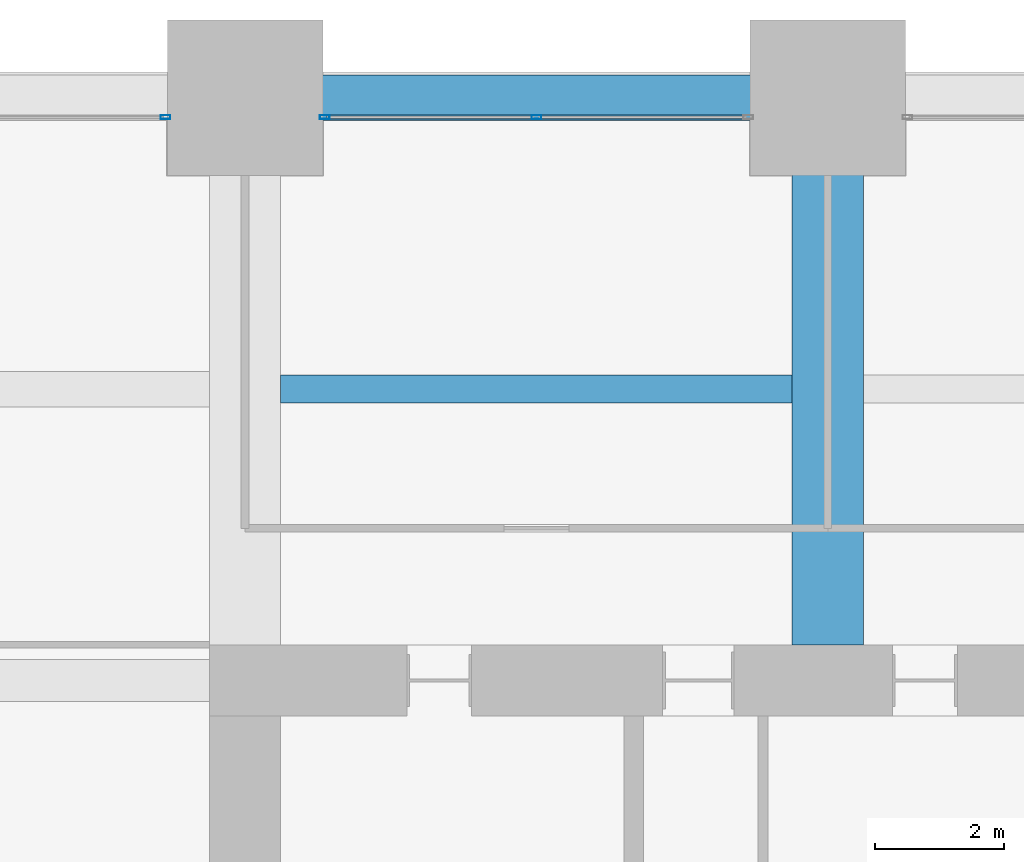
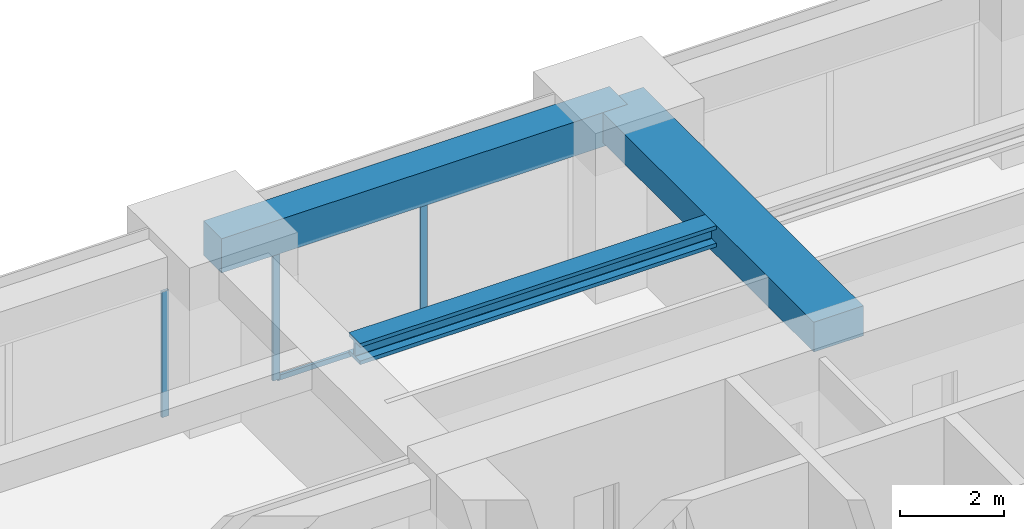
# One storey, part 28 of 39: 4 members, 3 beams, 2 elements without a shape of their own.
"""IFC4 building model written with IfcOpenShell, lengths in metres."""

from ifc_helpers import new_model, si_unit, direction, frame, origin, origin_2d, place, context, subcontext, project, spatial, rectangle, hollow_rectangle, i_section, extrude, material, material_profile, profile_set, type_object, element, aggregate, save


model = new_model("IFC4")

# Units and contexts
model_context = context("Model", 3, precision=1e-05, world=origin(), true_north=direction((0.0, 1.0)))
body_context = subcontext(model_context, "Body", "Model", "MODEL_VIEW")
ifc_project = project(units=[si_unit("LENGTHUNIT", "METRE"), si_unit("AREAUNIT", "SQUARE_METRE"), si_unit("VOLUMEUNIT", "CUBIC_METRE"), si_unit("PLANEANGLEUNIT", "RADIAN"), si_unit("MASSUNIT", "GRAM", prefix="KILO")], contexts=[model_context])

# Site, building, storey
site_placement = place(None, origin())
site = spatial("IfcSite", under=ifc_project, at=site_placement, CompositionType="ELEMENT")
building_placement = place(site_placement, origin())
building = spatial("IfcBuilding", under=site, at=building_placement, Name="Zorevar Civic Tower", CompositionType="ELEMENT")
storey_placement = place(building_placement, frame((0.0, 0.0, 125.0)))
storey = spatial("IfcBuildingStorey", under=building, at=storey_placement, Name="L30", CompositionType="ELEMENT", Elevation=125.0)

# Beam
ifc_material_1 = material(Name="Concrete C50/60", Category="concrete")
ifc_material_profile_1 = material_profile(ifc_material_1, rectangle(XDim=1.10009765625, YDim=0.699951171875, at=origin_2d()), Name="RC 1100x700")
ifc_profile_set_1 = profile_set([ifc_material_profile_1], Name="Concrete C50/60")
beam_type_1 = type_object("IfcBeamType", Name="Beam RC 1100x700", PredefinedType="BEAM", material=ifc_profile_set_1)
beam_1_placement = place(storey_placement, frame((27.0, 36.550048828125, 3.39990234375), z_axis=(0.0, 1.0, 0.0), x_axis=(-1.0, 0.0, 0.0)))
element("IfcBeam", 1, at=beam_1_placement, inside=storey, type_object=beam_type_1, Name="Girder L31", PredefinedType="BEAM", context=body_context, shape_type="SweptSolid", body=[
    extrude(rectangle(XDim=1.10009765625, YDim=0.699951171875, at=origin_2d()), origin(), (0.0, 0.0, 1.0), 8.449951171875),
])

# Curtain wall, member
ifc_material_2 = material(Name="Dark grey solar-control glass in black aluminium frame", Category="aluminium")
curtain_wall_type = type_object("IfcCurtainWallType", Name="Curtain wall CW3 mid zone", PredefinedType="NOTDEFINED", material=ifc_material_2)
curtain_wall_1_placement = place(storey_placement, origin())
curtain_wall_1 = element("IfcCurtainWall", 2, at=curtain_wall_1_placement, inside=storey, type_object=curtain_wall_type, Name="CW3 L30", PredefinedType="NOTDEFINED")
ifc_material_3 = material(Name="Aluminium, black anodised", Category="aluminium")
ifc_material_profile_2 = material_profile(ifc_material_3, hollow_rectangle(XDim=0.06005859375, YDim=0.14990234375, WallThickness=0.00390625, at=origin_2d()), Name="AL 150x60x4")
ifc_profile_set_2 = profile_set([ifc_material_profile_2], Name="Aluminium, black anodised")
member_type_1 = type_object("IfcMemberType", Name="CW3 mullion AL 150x60x4", PredefinedType="MULLION", material=ifc_profile_set_2)
member_1_placement = place(storey_placement, frame((16.77001953125, 44.699951171875, 0.0), z_axis=(0.0, 0.0, 1.0), x_axis=(0.0, 1.0, 0.0)))
member_1 = element("IfcMember", 3, at=member_1_placement, type_object=member_type_1, Name="CW3 mullion 3", PredefinedType="MULLION", context=body_context, shape_type="SweptSolid", body=[
    extrude(hollow_rectangle(XDim=0.06005859375, YDim=0.14990234375, WallThickness=0.00390625, at=origin_2d()), origin(), (0.0, 0.0, 1.0), 2.949951171875),
])
aggregate(curtain_wall_1, [member_1])

# Curtain wall, members
curtain_wall_2_placement = place(storey_placement, origin())
curtain_wall_2 = element("IfcCurtainWall", 4, at=curtain_wall_2_placement, inside=storey, type_object=curtain_wall_type, Name="CW3 L30", PredefinedType="NOTDEFINED")
member_2_placement = place(storey_placement, frame((19.22998046875, 44.699951171875, 0.0), z_axis=(0.0, 0.0, 1.0), x_axis=(0.0, 1.0, 0.0)))
member_2 = element("IfcMember", 5, at=member_2_placement, type_object=member_type_1, Name="CW3 mullion 1", PredefinedType="MULLION", context=body_context, shape_type="SweptSolid", body=[
    extrude(hollow_rectangle(XDim=0.06005859375, YDim=0.14990234375, WallThickness=0.00390625, at=origin_2d()), origin(), (0.0, 0.0, 1.0), 2.949951171875),
])
member_3_placement = place(storey_placement, frame((22.5, 44.699951171875, 0.06005859375), z_axis=(0.0, 0.0, 1.0), x_axis=(0.0, 1.0, 0.0)))
member_3 = element("IfcMember", 6, at=member_3_placement, type_object=member_type_1, Name="CW3 mullion 2", PredefinedType="MULLION", context=body_context, shape_type="SweptSolid", body=[
    extrude(hollow_rectangle(XDim=0.06005859375, YDim=0.14990234375, WallThickness=0.00390625, at=origin_2d()), origin(), (0.0, 0.0, 1.0), 2.889892578125),
])
ifc_material_4 = material(Name="Aluminium, black anodised", Category="aluminium")
ifc_material_profile_3 = material_profile(ifc_material_4, hollow_rectangle(XDim=0.06005859375, YDim=0.1201171875, WallThickness=0.0029296875, at=origin_2d()), Name="AL 120x60x3")
ifc_profile_set_3 = profile_set([ifc_material_profile_3], Name="Aluminium, black anodised")
member_type_2 = type_object("IfcMemberType", Name="CW3 transom AL 120x60x3", PredefinedType="USERDEFINED", material=ifc_profile_set_3)
member_4_placement = place(storey_placement, frame((19.260009765625, 44.699951171875, 0.030029296875), z_axis=(1.0, 0.0, 0.0), x_axis=(0.0, 1.0, 0.0)))
member_4 = element("IfcMember", 7, at=member_4_placement, type_object=member_type_2, Name="CW3 sill transom", ObjectType="TRANSOM", PredefinedType="USERDEFINED", context=body_context, shape_type="SweptSolid", body=[
    extrude(hollow_rectangle(XDim=0.06005859375, YDim=0.1201171875, WallThickness=0.0029296875, at=origin_2d()), origin(), (0.0, 0.0, 1.0), 6.47998046875),
])
aggregate(curtain_wall_2, [member_2, member_3, member_4])

# Beams
ifc_material_5 = material(Name="Steel S460M (HISTAR 460)", Category="steel")
ifc_material_profile_4 = material_profile(ifc_material_5, i_section(OverallWidth=0.431884765625, OverallDepth=0.498046875, WebThickness=0.0556640625, FlangeThickness=0.0888671875, FilletRadius=0.014892578125, at=origin_2d()), Name="HD 400x744")
ifc_profile_set_4 = profile_set([ifc_material_profile_4], Name="Steel S460M (HISTAR 460)")
beam_type_2 = type_object("IfcBeamType", Name="Core bay beam HD 400x744", PredefinedType="BEAM", material=ifc_profile_set_4)
beam_2_placement = place(storey_placement, frame((18.550048828125, 40.5, 3.5009765625), z_axis=(1.0, 0.0, 0.0), x_axis=(0.0, 1.0, 0.0)))
element("IfcBeam", 8, at=beam_2_placement, inside=storey, type_object=beam_type_2, Name="Secondary beam L31", PredefinedType="BEAM", context=body_context, shape_type="SweptSolid", body=[
    extrude(i_section(OverallWidth=0.431884765625, OverallDepth=0.498046875, WebThickness=0.0556640625, FlangeThickness=0.0888671875, FilletRadius=0.014892578125, at=origin_2d()), origin(), (0.0, 0.0, 1.0), 7.89990234375),
])
ifc_material_6 = material(Name="Concrete C50/60", Category="concrete")
ifc_material_profile_5 = material_profile(ifc_material_6, rectangle(XDim=0.699951171875, YDim=0.800048828125, at=origin_2d()), Name="RC 700x800")
ifc_profile_set_5 = profile_set([ifc_material_profile_5], Name="Concrete C50/60")
beam_type_3 = type_object("IfcBeamType", Name="Edge beam RC 700x800", PredefinedType="SPANDREL", material=ifc_profile_set_5)
beam_3_placement = place(storey_placement, frame((18.0, 45.0, 3.35009765625), z_axis=(1.0, 0.0, 0.0), x_axis=(0.0, 1.0, 0.0)))
element("IfcBeam", 9, at=beam_3_placement, inside=storey, type_object=beam_type_3, Name="Edge beam L31", PredefinedType="SPANDREL", context=body_context, shape_type="SweptSolid", body=[
    extrude(rectangle(XDim=0.699951171875, YDim=0.800048828125, at=origin_2d()), origin(), (0.0, 0.0, 1.0), 9.0),
])

save(model, "model.ifc")
